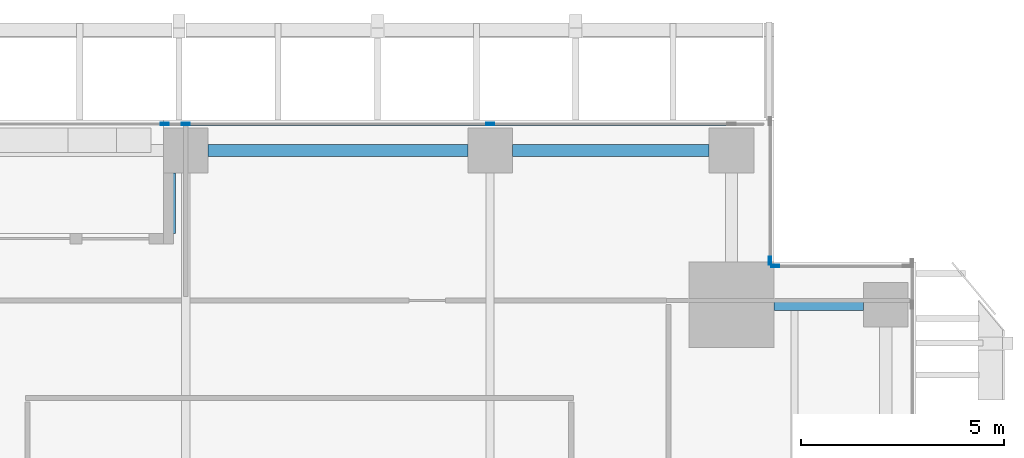
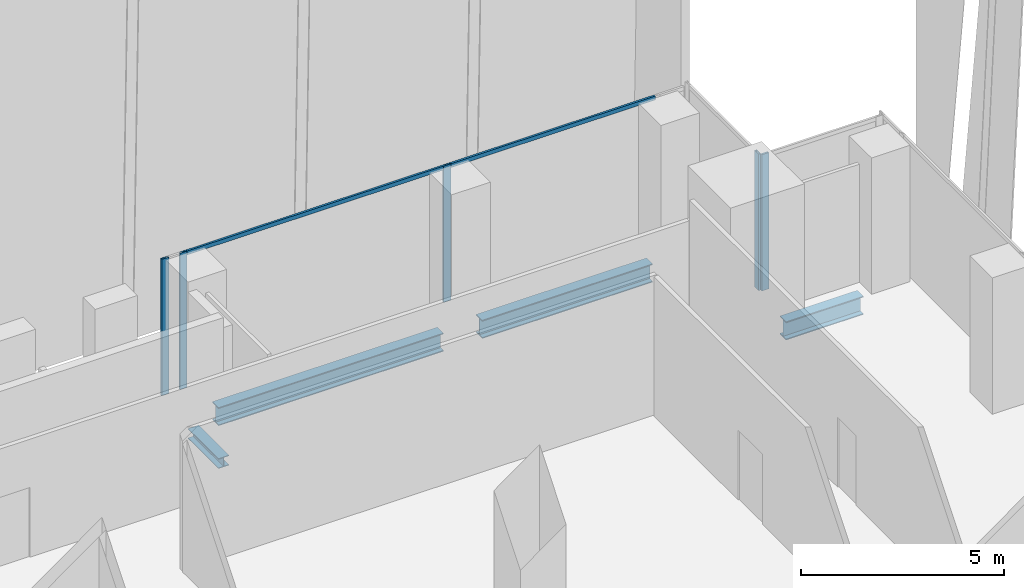
# One storey, part 18 of 34: 7 members, 4 beams, 3 elements without a shape of their own.
"""IFC4 building model written with IfcOpenShell, lengths in metres."""

from ifc_helpers import new_model, si_unit, direction, frame, origin, origin_2d, place, context, subcontext, project, spatial, hollow_rectangle, i_section, extrude, source, transform, mapped, material, material_profile, profile_set, type_object, element, aggregate, save


model = new_model("IFC4")

# Units and contexts
model_context = context("Model", 3, precision=1e-05, world=origin(), true_north=direction((0.0, 1.0)))
body_context = subcontext(model_context, "Body", "Model", "MODEL_VIEW")
ifc_project = project(units=[si_unit("LENGTHUNIT", "METRE"), si_unit("AREAUNIT", "SQUARE_METRE"), si_unit("VOLUMEUNIT", "CUBIC_METRE"), si_unit("PLANEANGLEUNIT", "RADIAN"), si_unit("MASSUNIT", "GRAM", prefix="KILO")], contexts=[model_context])

# Site, building, storey
site_placement = place(None, origin())
site = spatial("IfcSite", under=ifc_project, at=site_placement, CompositionType="ELEMENT")
building_placement = place(site_placement, origin())
building = spatial("IfcBuilding", under=site, at=building_placement, Name="Khomas Fold Tower", CompositionType="ELEMENT")
storey_placement = place(building_placement, frame((0.0, 0.0, 114.699951171875)))
storey = spatial("IfcBuildingStorey", under=building, at=storey_placement, Name="L24", CompositionType="ELEMENT", Elevation=114.699951171875)

# Beams
ifc_material_1 = material(Name="Steel S355", Category="steel")
ifc_material_profile_1 = material_profile(ifc_material_1, i_section(OverallWidth=0.300048828125, OverallDepth=0.550048828125, WebThickness=0.014892578125, FlangeThickness=0.029052734375, at=origin_2d()), Name="HE 550 B")
ifc_profile_set_1 = profile_set([ifc_material_profile_1], Name="Steel S355")
beam_type_1 = type_object("IfcBeamType", Name="HE 550 B spandrel SB2", PredefinedType="SPANDREL", material=ifc_profile_set_1)
shared_shape_1 = source(origin(), body_context, "Body", "SweptSolid", [
    extrude(i_section(OverallWidth=0.300048828125, OverallDepth=0.550048828125, WebThickness=0.014892578125, FlangeThickness=0.029052734375, at=origin_2d()), origin(), (0.0, 0.0, 1.0), 4.849853515625),
])
beam_1_placement = place(storey_placement, frame((42.550048828125, 51.75, -0.574951171875), z_axis=(1.0, 0.0, 0.0), x_axis=(0.0, 1.0, 0.0)))
element("IfcBeam", 1, at=beam_1_placement, inside=storey, type_object=beam_type_1, Name="SB2", PredefinedType="SPANDREL", context=body_context, shape_type="MappedRepresentation", body=[
    mapped(shared_shape_1, transform((0.0, 0.0, 0.0))),
])
shared_shape_2 = source(origin(), body_context, "Body", "SweptSolid", [
    extrude(i_section(OverallWidth=0.300048828125, OverallDepth=0.550048828125, WebThickness=0.014892578125, FlangeThickness=0.029052734375, at=origin_2d()), origin(), (0.0, 0.0, 1.0), 6.39990234375),
])
beam_2_placement = place(storey_placement, frame((35.050048828125, 51.75, -0.574951171875), z_axis=(1.0, 0.0, 0.0), x_axis=(0.0, 1.0, 0.0)))
element("IfcBeam", 2, at=beam_2_placement, inside=storey, type_object=beam_type_1, Name="SB2", PredefinedType="SPANDREL", context=body_context, shape_type="MappedRepresentation", body=[
    mapped(shared_shape_2, transform((0.0, 0.0, 0.0))),
])
shared_shape_3 = source(origin(), body_context, "Body", "SweptSolid", [
    extrude(i_section(OverallWidth=0.300048828125, OverallDepth=0.550048828125, WebThickness=0.014892578125, FlangeThickness=0.029052734375, at=origin_2d()), origin(), (0.0, 0.0, 1.0), 2.199951171875),
])
beam_3_placement = place(storey_placement, frame((49.0, 47.949951171875, -0.574951171875), z_axis=(1.0, 0.0, 0.0), x_axis=(0.0, 1.0, 0.0)))
element("IfcBeam", 3, at=beam_3_placement, inside=storey, type_object=beam_type_1, Name="SB2", PredefinedType="SPANDREL", context=body_context, shape_type="MappedRepresentation", body=[
    mapped(shared_shape_3, transform((0.0, 0.0, 0.0))),
])
ifc_material_2 = material(Name="Steel S355", Category="steel")
ifc_material_profile_2 = material_profile(ifc_material_2, i_section(OverallWidth=0.300048828125, OverallDepth=0.300048828125, WebThickness=0.010986328125, FlangeThickness=0.01904296875, at=origin_2d()), Name="HE 300 B")
ifc_profile_set_2 = profile_set([ifc_material_profile_2], Name="Steel S355")
beam_type_2 = type_object("IfcBeamType", Name="HE 300 B beam BB1", PredefinedType="BEAM", material=ifc_profile_set_2)
shared_shape_4 = source(origin(), body_context, "Body", "SweptSolid", [
    extrude(i_section(OverallWidth=0.300048828125, OverallDepth=0.300048828125, WebThickness=0.010986328125, FlangeThickness=0.01904296875, at=origin_2d()), origin(), (0.0, 0.0, 1.0), 1.5),
])
beam_4_placement = place(storey_placement, frame((34.10009765625, 49.699951171875, -0.449951171875), z_axis=(0.0, 1.0, 0.0), x_axis=(-1.0, 0.0, 0.0)))
element("IfcBeam", 4, at=beam_4_placement, inside=storey, type_object=beam_type_2, Name="BB1", PredefinedType="BEAM", context=body_context, shape_type="MappedRepresentation", body=[
    mapped(shared_shape_4, transform((0.0, 0.0, 0.0))),
])

# Curtain wall, member
ifc_material_3 = material(Name="Aluminium framed double glazing", Category="aluminium")
curtain_wall_type = type_object("IfcCurtainWallType", Name="SK-Unitised clear-glass wall, growing floors CW1", PredefinedType="NOTDEFINED", material=ifc_material_3)
curtain_wall_1_placement = place(storey_placement, origin())
curtain_wall_1 = element("IfcCurtainWall", 5, at=curtain_wall_1_placement, inside=storey, type_object=curtain_wall_type, Name="CW1 run L24 06-0", PredefinedType="NOTDEFINED")
ifc_material_4 = material(Name="Aluminium", Category="aluminium")
ifc_material_profile_3 = material_profile(ifc_material_4, hollow_rectangle(XDim=0.06005859375, YDim=0.1201171875, WallThickness=0.00390625, at=origin_2d()), Name="SK-Unitised clear-glass wall, growing floors transom CW1-T")
ifc_profile_set_3 = profile_set([ifc_material_profile_3], Name="Aluminium")
member_type_1 = type_object("IfcMemberType", Name="SK-Unitised clear-glass wall, growing floors transom CW1-T", PredefinedType="USERDEFINED", material=ifc_profile_set_3)
shared_shape_5 = source(origin(), body_context, "Body", "SweptSolid", [
    extrude(hollow_rectangle(XDim=0.06005859375, YDim=0.1201171875, WallThickness=0.00390625, at=origin_2d()), origin(), (0.0, 0.0, 1.0), 7.43994140625),
])
member_1_placement = place(storey_placement, frame((41.969970703125, 52.39990234375, 4.0400390625), z_axis=(-1.0, 0.0, 0.0), x_axis=(0.0, -1.0, 0.0)))
member_1 = element("IfcMember", 6, at=member_1_placement, type_object=member_type_1, Name="CW1 transom 3", ObjectType="TRANSOM", PredefinedType="USERDEFINED", context=body_context, shape_type="MappedRepresentation", body=[
    mapped(shared_shape_5, transform((0.0, 0.0, 0.0))),
])

curtain_wall_2_placement = place(storey_placement, origin())
curtain_wall_2 = element("IfcCurtainWall", 7, at=curtain_wall_2_placement, inside=storey, type_object=curtain_wall_type, Name="CW1 corner return L24 04", PredefinedType="NOTDEFINED")
ifc_material_5 = material(Name="Aluminium", Category="aluminium")
ifc_material_profile_4 = material_profile(ifc_material_5, hollow_rectangle(XDim=0.06005859375, YDim=0.199951171875, WallThickness=0.00390625, at=origin_2d()), Name="SK-Unitised clear-glass wall, growing floors mullion CW1-M")
ifc_profile_set_4 = profile_set([ifc_material_profile_4], Name="Aluminium")
member_type_2 = type_object("IfcMemberType", Name="SK-Unitised clear-glass wall, growing floors mullion CW1-M", PredefinedType="MULLION", material=ifc_profile_set_4)
shared_shape_6 = source(origin(), body_context, "Body", "SweptSolid", [
    extrude(hollow_rectangle(XDim=0.06005859375, YDim=0.199951171875, WallThickness=0.00390625, at=origin_2d()), origin(), (0.0, 0.0, 1.0), 4.10009765625),
])
member_2_placement = place(storey_placement, frame((49.030029296875, 48.89990234375, 0.0), z_axis=(0.0, 0.0, 1.0), x_axis=(0.0, -1.0, 0.0)))
member_2 = element("IfcMember", 8, at=member_2_placement, type_object=member_type_2, Name="CW1 mullion 2", PredefinedType="MULLION", context=body_context, shape_type="MappedRepresentation", body=[
    mapped(shared_shape_6, transform((0.0, 0.0, 0.0))),
])
aggregate(curtain_wall_2, [member_2])

curtain_wall_3_placement = place(storey_placement, origin())
curtain_wall_3 = element("IfcCurtainWall", 9, at=curtain_wall_3_placement, inside=storey, type_object=curtain_wall_type, Name="CW1 corner return L24 05", PredefinedType="NOTDEFINED")
member_3_placement = place(storey_placement, frame((48.89990234375, 49.030029296875, 0.0), z_axis=(0.0, 0.0, 1.0), x_axis=(-1.0, 0.0, 0.0)))
member_3 = element("IfcMember", 10, at=member_3_placement, type_object=member_type_2, Name="CW1 mullion 1", PredefinedType="MULLION", context=body_context, shape_type="MappedRepresentation", body=[
    mapped(shared_shape_6, transform((0.0, 0.0, 0.0))),
])
aggregate(curtain_wall_3, [member_3])

# Member
member_4_placement = place(storey_placement, frame((42.0, 52.39990234375, 0.0), z_axis=(0.0, 0.0, 1.0), x_axis=(0.0, -1.0, 0.0)))
member_4 = element("IfcMember", 11, at=member_4_placement, type_object=member_type_2, Name="CW1 mullion 3", PredefinedType="MULLION", context=body_context, shape_type="MappedRepresentation", body=[
    mapped(shared_shape_6, transform((0.0, 0.0, 0.0))),
])

member_5_placement = place(storey_placement, frame((34.5, 52.39990234375, 0.0), z_axis=(0.0, 0.0, 1.0), x_axis=(0.0, -1.0, 0.0)))
member_5 = element("IfcMember", 12, at=member_5_placement, type_object=member_type_2, Name="CW1 mullion 4", PredefinedType="MULLION", context=body_context, shape_type="MappedRepresentation", body=[
    mapped(shared_shape_6, transform((0.0, 0.0, 0.0))),
])

member_6_placement = place(storey_placement, frame((33.97998046875, 52.39990234375, 0.0), z_axis=(0.0, 0.0, 1.0), x_axis=(0.0, -1.0, 0.0)))
member_6 = element("IfcMember", 13, at=member_6_placement, type_object=member_type_2, Name="CW1 mullion 5", PredefinedType="MULLION", context=body_context, shape_type="MappedRepresentation", body=[
    mapped(shared_shape_6, transform((0.0, 0.0, 0.0))),
])

shared_shape_7 = source(origin(), body_context, "Body", "SweptSolid", [
    extrude(hollow_rectangle(XDim=0.06005859375, YDim=0.1201171875, WallThickness=0.00390625, at=origin_2d()), origin(), (0.0, 0.0, 1.0), 5.889892578125),
])
member_7_placement = place(storey_placement, frame((47.919921875, 52.39990234375, 4.0400390625), z_axis=(-1.0, 0.0, 0.0), x_axis=(0.0, -1.0, 0.0)))
member_7 = element("IfcMember", 14, at=member_7_placement, type_object=member_type_1, Name="CW1 transom 2", ObjectType="TRANSOM", PredefinedType="USERDEFINED", context=body_context, shape_type="MappedRepresentation", body=[
    mapped(shared_shape_7, transform((0.0, 0.0, 0.0))),
])

aggregate(curtain_wall_1, [member_4, member_5, member_6, member_7, member_1])

save(model, "model.ifc")
